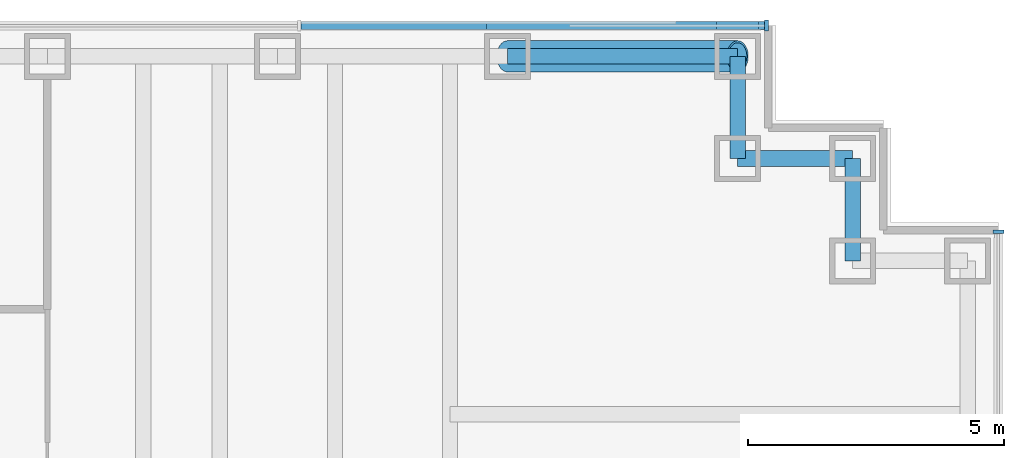
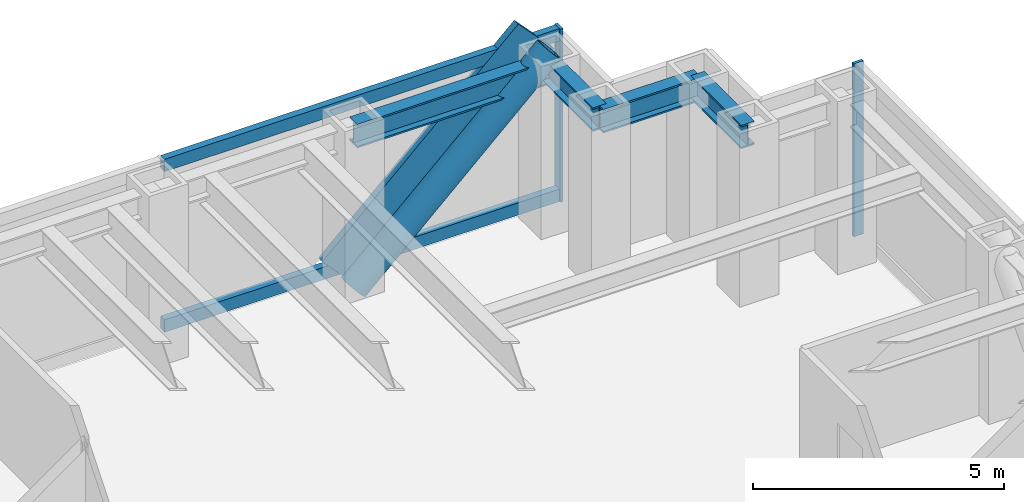
# One storey, part 9 of 15: 6 members, 4 beams, 2 elements without a shape of their own.
"""IFC4 building model written with IfcOpenShell, lengths in metres."""

from ifc_helpers import new_model, si_unit, direction, frame, origin, origin_2d, place, context, subcontext, project, spatial, rectangle, hollow_circle, i_section, extrude, material, material_profile, profile_set, type_object, element, aggregate, save


model = new_model("IFC4")

# Units and contexts
model_context = context("Model", 3, precision=1e-05, world=origin(), true_north=direction((0.0, 1.0)))
body_context = subcontext(model_context, "Body", "Model", "MODEL_VIEW")
ifc_project = project(units=[si_unit("LENGTHUNIT", "METRE"), si_unit("AREAUNIT", "SQUARE_METRE"), si_unit("VOLUMEUNIT", "CUBIC_METRE"), si_unit("PLANEANGLEUNIT", "RADIAN"), si_unit("MASSUNIT", "GRAM", prefix="KILO")], contexts=[model_context])

# Site, building, storey
site_placement = place(None, origin())
site = spatial("IfcSite", under=ifc_project, at=site_placement, CompositionType="ELEMENT")
building_placement = place(site_placement, origin())
building = spatial("IfcBuilding", under=site, at=building_placement, Name="Rheinbord Bourse Tower", CompositionType="ELEMENT")
storey_placement = place(building_placement, frame((0.0, 0.0, 150.89990234375)))
storey = spatial("IfcBuildingStorey", under=building, at=storey_placement, Name="L33", CompositionType="ELEMENT", Elevation=150.89990234375)

# Curtain wall, member
ifc_material_1 = material(Name="Dark glass and black aluminium", Category="aluminium")
curtain_wall_type = type_object("IfcCurtainWallType", Name="CW2 DARK GLASS CURTAIN WALL", PredefinedType="USERDEFINED", material=ifc_material_1)
curtain_wall_1_placement = place(storey_placement, origin())
curtain_wall_1 = element("IfcCurtainWall", 1, at=curtain_wall_1_placement, inside=storey, type_object=curtain_wall_type, Name="Curtain wall CW2 N L33", ObjectType="UNITISED CURTAIN WALL", PredefinedType="USERDEFINED")
ifc_material_2 = material(Name="Black anodised aluminium", Category="aluminium")
ifc_material_profile_1 = material_profile(ifc_material_2, rectangle(XDim=0.159912109375, YDim=1.2099609375, at=origin_2d()), Name="CW2 DIAGONAL MULLION 1210x160")
ifc_profile_set_1 = profile_set([ifc_material_profile_1], Name="Black anodised aluminium")
member_type_1 = type_object("IfcMemberType", Name="CW2 BLACK DIAGONAL MULLION", PredefinedType="USERDEFINED", material=ifc_profile_set_1)
member_1_placement = place(storey_placement, frame((63.0, 46.60009765625, 0.0), z_axis=(0.731039441158, 0.0, 0.682335207557), x_axis=(0.0, 1.0, 0.0)))
member_1 = element("IfcMember", 2, at=member_1_placement, type_object=member_type_1, Name="CW2 diagonal mullion c", ObjectType="DIAGONAL MULLION", PredefinedType="USERDEFINED", context=body_context, shape_type="SweptSolid", body=[
    extrude(rectangle(XDim=0.159912109375, YDim=1.2099609375, at=origin_2d()), origin(), (0.0, 0.0, 1.0), 6.155517578125),
])

curtain_wall_2_placement = place(storey_placement, origin())
curtain_wall_2 = element("IfcCurtainWall", 3, at=curtain_wall_2_placement, inside=storey, type_object=curtain_wall_type, Name="Curtain wall CW2 E L33", ObjectType="UNITISED CURTAIN WALL", PredefinedType="USERDEFINED")
ifc_material_3 = material(Name="Black anodised aluminium", Category="aluminium")
ifc_material_profile_2 = material_profile(ifc_material_3, rectangle(XDim=0.219970703125, YDim=0.070068359375, at=origin_2d()), Name="CW2 MULLION 70x220")
ifc_profile_set_2 = profile_set([ifc_material_profile_2], Name="Black anodised aluminium")
member_type_2 = type_object("IfcMemberType", Name="CW2 BLACK MULLION", PredefinedType="MULLION", material=ifc_profile_set_2)
member_2_placement = place(storey_placement, frame((72.60009765625, 42.56494140625, 0.0), z_axis=(0.0, 0.0, 1.0), x_axis=(-1.0, 0.0, 0.0)))
member_2 = element("IfcMember", 4, at=member_2_placement, type_object=member_type_2, Name="CW2 mullion 6", PredefinedType="MULLION", context=body_context, shape_type="SweptSolid", body=[
    extrude(rectangle(XDim=0.219970703125, YDim=0.070068359375, at=origin_2d()), origin(), (0.0, 0.0, 1.0), 4.2001953125),
])
aggregate(curtain_wall_2, [member_2])

# Member
member_3_placement = place(storey_placement, frame((68.06494140625, 46.60009765625, 0.0), z_axis=(0.0, 0.0, 1.0), x_axis=(0.0, -1.0, 0.0)))
member_3 = element("IfcMember", 5, at=member_3_placement, type_object=member_type_2, Name="CW2 mullion 1", PredefinedType="MULLION", context=body_context, shape_type="SweptSolid", body=[
    extrude(rectangle(XDim=0.219970703125, YDim=0.070068359375, at=origin_2d()), origin(), (0.0, 0.0, 1.0), 4.2001953125),
])

ifc_material_4 = material(Name="Black anodised aluminium", Category="aluminium")
ifc_material_profile_3 = material_profile(ifc_material_4, rectangle(XDim=0.159912109375, YDim=0.300048828125, at=origin_2d()), Name="CW2 TRANSOM 300x160")
ifc_profile_set_3 = profile_set([ifc_material_profile_3], Name="Black anodised aluminium")
member_type_3 = type_object("IfcMemberType", Name="CW2 BLACK TRANSOM", PredefinedType="USERDEFINED", material=ifc_profile_set_3)
member_4_placement = place(storey_placement, frame((68.030029296875, 46.60009765625, 0.150146484375), z_axis=(-1.0, 0.0, 0.0), x_axis=(0.0, -1.0, 0.0)))
member_4 = element("IfcMember", 6, at=member_4_placement, type_object=member_type_3, Name="CW2 transom 1.1", ObjectType="TRANSOM", PredefinedType="USERDEFINED", context=body_context, shape_type="SweptSolid", body=[
    extrude(rectangle(XDim=0.159912109375, YDim=0.300048828125, at=origin_2d()), origin(), (0.0, 0.0, 1.0), 9.06640625),
])

member_5_placement = place(storey_placement, frame((68.030029296875, 46.60009765625, 4.050048828125), z_axis=(-1.0, 0.0, 0.0), x_axis=(0.0, -1.0, 0.0)))
member_5 = element("IfcMember", 7, at=member_5_placement, type_object=member_type_3, Name="CW2 transom 1.2", ObjectType="TRANSOM", PredefinedType="USERDEFINED", context=body_context, shape_type="SweptSolid", body=[
    extrude(rectangle(XDim=0.159912109375, YDim=0.300048828125, at=origin_2d()), origin(), (0.0, 0.0, 1.0), 9.06640625),
])

aggregate(curtain_wall_1, [member_3, member_4, member_5, member_1])

ifc_material_5 = material(Name="Steel S460", Category="steel")
ifc_material_profile_4 = material_profile(ifc_material_5, hollow_circle(Radius=0.304931640625, WallThickness=0.0400390625, at=origin_2d()), Name="CHS 610x40")
ifc_profile_set_4 = profile_set([ifc_material_profile_4], Name="Steel S460")
member_type_4 = type_object("IfcMemberType", Name="MEGABRACE CHS 610x40", PredefinedType="BRACE", material=ifc_profile_set_4)
member_6_placement = place(storey_placement, frame((63.0, 46.0, 0.0), z_axis=(0.731039441158, 0.0, 0.682335207557), x_axis=(0.0, 1.0, 0.0)))
element("IfcMember", 8, at=member_6_placement, inside=storey, type_object=member_type_4, Name="Megabrace N face line c L33", PredefinedType="BRACE", context=body_context, shape_type="SweptSolid", body=[
    extrude(hollow_circle(Radius=0.304931640625, WallThickness=0.0400390625, at=origin_2d()), origin(), (0.0, 0.0, 1.0), 6.155517578125),
])

# Beams
ifc_material_6 = material(Name="Steel S460", Category="steel")
ifc_material_profile_5 = material_profile(ifc_material_6, i_section(OverallWidth=0.305908203125, OverallDepth=0.572021484375, WebThickness=0.02099609375, FlangeThickness=0.0400390625, at=origin_2d()), Name="HEM 550")
ifc_profile_set_5 = profile_set([ifc_material_profile_5], Name="Steel S460")
beam_type = type_object("IfcBeamType", Name="SPANDREL HEM 550", PredefinedType="SPANDREL", material=ifc_profile_set_5)
beam_1_placement = place(storey_placement, frame((69.75, 42.0, 3.754150390625), z_axis=(0.0, 1.0, 0.0), x_axis=(-1.0, 0.0, 0.0)))
element("IfcBeam", 9, at=beam_1_placement, inside=storey, type_object=beam_type, Name="Spandrel NE-B-NE-C under L34", PredefinedType="SPANDREL", context=body_context, shape_type="SweptSolid", body=[
    extrude(i_section(OverallWidth=0.305908203125, OverallDepth=0.572021484375, WebThickness=0.02099609375, FlangeThickness=0.0400390625, at=origin_2d()), origin(), (0.0, 0.0, 1.0), 2.0),
])
beam_2_placement = place(storey_placement, frame((69.75, 44.0, 3.754150390625), z_axis=(-1.0, 0.0, 0.0), x_axis=(0.0, -1.0, 0.0)))
element("IfcBeam", 10, at=beam_2_placement, inside=storey, type_object=beam_type, Name="Spandrel NE-C-NE-D under L34", PredefinedType="SPANDREL", context=body_context, shape_type="SweptSolid", body=[
    extrude(i_section(OverallWidth=0.305908203125, OverallDepth=0.572021484375, WebThickness=0.02099609375, FlangeThickness=0.0400390625, at=origin_2d()), origin(), (0.0, 0.0, 1.0), 2.25),
])
beam_3_placement = place(storey_placement, frame((67.5, 44.0, 3.754150390625), z_axis=(0.0, 1.0, 0.0), x_axis=(-1.0, 0.0, 0.0)))
element("IfcBeam", 11, at=beam_3_placement, inside=storey, type_object=beam_type, Name="Spandrel NE-D-NE-E under L34", PredefinedType="SPANDREL", context=body_context, shape_type="SweptSolid", body=[
    extrude(i_section(OverallWidth=0.305908203125, OverallDepth=0.572021484375, WebThickness=0.02099609375, FlangeThickness=0.0400390625, at=origin_2d()), origin(), (0.0, 0.0, 1.0), 2.0),
])
beam_4_placement = place(storey_placement, frame((67.5, 46.0, 3.754150390625), z_axis=(-1.0, 0.0, 0.0), x_axis=(0.0, -1.0, 0.0)))
element("IfcBeam", 12, at=beam_4_placement, inside=storey, type_object=beam_type, Name="Spandrel NE-E-N-63 under L34", PredefinedType="SPANDREL", context=body_context, shape_type="SweptSolid", body=[
    extrude(i_section(OverallWidth=0.305908203125, OverallDepth=0.572021484375, WebThickness=0.02099609375, FlangeThickness=0.0400390625, at=origin_2d()), origin(), (0.0, 0.0, 1.0), 4.5),
])

save(model, "model.ifc")
